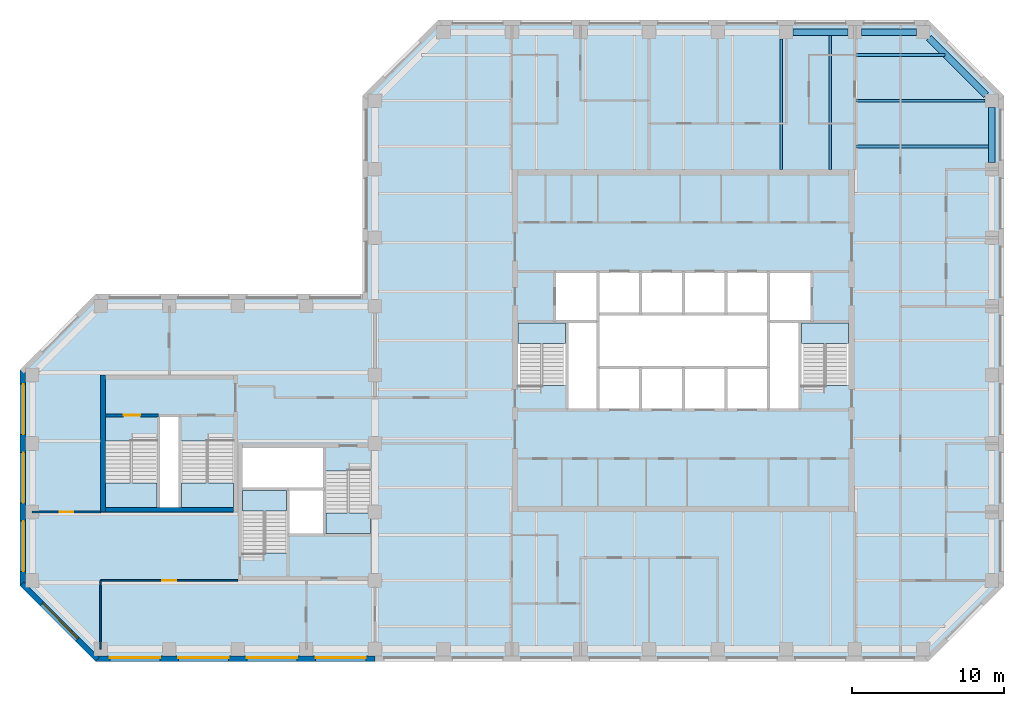
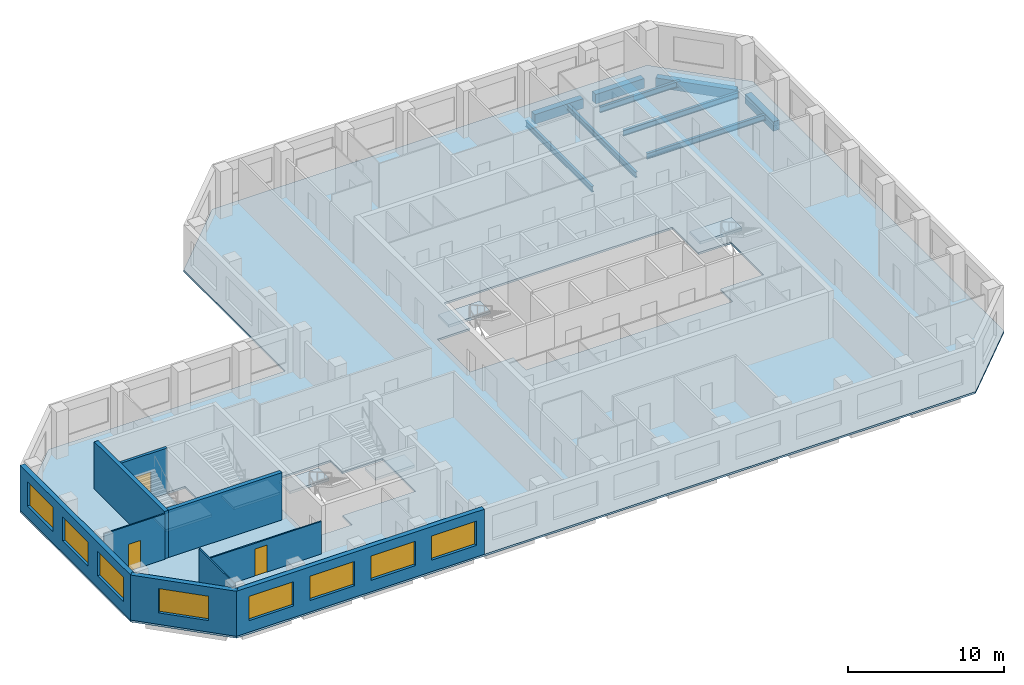
# One storey, part 2 of 9: 9 beams, 9 walls, 8 windows, 7 slabs, 3 doors, 11 openings, 6 elements without a shape of their own.
"""IFC4 building model written with IfcOpenShell, lengths in metres."""

from ifc_helpers import new_model, si_unit, direction, frame, frame_2d, origin, origin_2d, place, context, subcontext, project, spatial, polyline, rectangle, i_section, outline, extrude, material, layer, layer_set, constituent, constituent_set, material_profile, profile_set, type_object, element, fill, aggregate, save


model = new_model("IFC4")

# Units and contexts
model_context = context("Model", 3, precision=1e-05, world=origin(), true_north=direction((0.0, 1.0)))
body_context = subcontext(model_context, "Body", "Model", "MODEL_VIEW")
ifc_project = project(units=[si_unit("LENGTHUNIT", "METRE"), si_unit("AREAUNIT", "SQUARE_METRE"), si_unit("VOLUMEUNIT", "CUBIC_METRE"), si_unit("PLANEANGLEUNIT", "RADIAN"), si_unit("MASSUNIT", "GRAM", prefix="KILO")], contexts=[model_context])

# Site, building, storey
site_placement = place(None, origin())
site = spatial("IfcSite", under=ifc_project, at=site_placement, CompositionType="ELEMENT")
building_placement = place(site_placement, origin())
building = spatial("IfcBuilding", under=site, at=building_placement, Name="Quoin Convention Tower", CompositionType="ELEMENT")
storey_placement = place(building_placement, frame((0.0, 0.0, 252.60009765625)))
storey = spatial("IfcBuildingStorey", under=building, at=storey_placement, Name="L66", CompositionType="ELEMENT", Elevation=252.60009765625)

# Beams
ifc_material_1 = material(Name="Steel Grade 300", Category="steel")
ifc_material_profile_1 = material_profile(ifc_material_1, i_section(OverallWidth=0.18994140625, OverallDepth=0.4541015625, WebThickness=0.008544921875, FlangeThickness=0.0126953125, FilletRadius=0.011474609375, at=origin_2d()), Name="460UB67.1")
ifc_profile_set_1 = profile_set([ifc_material_profile_1], Name="Steel Grade 300")
beam_type_1 = type_object("IfcBeamType", Name="460UB67.1", PredefinedType="BEAM", material=ifc_profile_set_1)
beam_1_placement = place(storey_placement, frame((62.6787109375, 72.0, -0.377197265625), z_axis=(0.0, 1.0, 0.0), x_axis=(-1.0, 0.0, 0.0)))
element("IfcBeam", 1, at=beam_1_placement, inside=storey, type_object=beam_type_1, Name="bm-L66-T1N5", PredefinedType="BEAM", context=body_context, shape_type="SweptSolid", body=[
    extrude(i_section(OverallWidth=0.18994140625, OverallDepth=0.4541015625, WebThickness=0.008544921875, FlangeThickness=0.0126953125, FilletRadius=0.011474609375, at=origin_2d()), origin(), (0.0, 0.0, 1.0), 8.550048828125),
])
beam_2_placement = place(storey_placement, frame((65.892822265625, 72.0, -0.377197265625), z_axis=(0.0, 1.0, 0.0), x_axis=(-1.0, 0.0, 0.0)))
element("IfcBeam", 2, at=beam_2_placement, inside=storey, type_object=beam_type_1, Name="bm-L66-T1N6", PredefinedType="BEAM", context=body_context, shape_type="SweptSolid", body=[
    extrude(i_section(OverallWidth=0.18994140625, OverallDepth=0.4541015625, WebThickness=0.008544921875, FlangeThickness=0.0126953125, FilletRadius=0.011474609375, at=origin_2d()), origin(), (0.0, 0.0, 1.0), 8.77490234375),
])
beam_3_placement = place(storey_placement, frame((67.5, 79.5, -0.377197265625), z_axis=(1.0, 0.0, 0.0), x_axis=(0.0, 1.0, 0.0)))
element("IfcBeam", 3, at=beam_3_placement, inside=storey, type_object=beam_type_1, Name="bm-L66-T1NE0", PredefinedType="BEAM", context=body_context, shape_type="SweptSolid", body=[
    extrude(i_section(OverallWidth=0.18994140625, OverallDepth=0.4541015625, WebThickness=0.008544921875, FlangeThickness=0.0126953125, FilletRadius=0.011474609375, at=origin_2d()), origin(), (0.0, 0.0, 1.0), 5.935791015625),
])
beam_4_placement = place(storey_placement, frame((67.5, 76.5, -0.377197265625), z_axis=(1.0, 0.0, 0.0), x_axis=(0.0, 1.0, 0.0)))
element("IfcBeam", 4, at=beam_4_placement, inside=storey, type_object=beam_type_1, Name="bm-L66-T1NE1", PredefinedType="BEAM", context=body_context, shape_type="SweptSolid", body=[
    extrude(i_section(OverallWidth=0.18994140625, OverallDepth=0.4541015625, WebThickness=0.008544921875, FlangeThickness=0.0126953125, FilletRadius=0.011474609375, at=origin_2d()), origin(), (0.0, 0.0, 1.0), 8.550048828125),
])
beam_5_placement = place(storey_placement, frame((67.5, 73.5, -0.377197265625), z_axis=(1.0, 0.0, 0.0), x_axis=(0.0, 1.0, 0.0)))
element("IfcBeam", 5, at=beam_5_placement, inside=storey, type_object=beam_type_1, Name="bm-L66-T1NE2", PredefinedType="BEAM", context=body_context, shape_type="SweptSolid", body=[
    extrude(i_section(OverallWidth=0.18994140625, OverallDepth=0.4541015625, WebThickness=0.008544921875, FlangeThickness=0.0126953125, FilletRadius=0.011474609375, at=origin_2d()), origin(), (0.0, 0.0, 1.0), 8.77490234375),
])
ifc_material_2 = material(Name="Concrete C50", Category="concrete")
ifc_material_profile_2 = material_profile(ifc_material_2, rectangle(XDim=0.449951171875, YDim=0.75, at=origin_2d()), Name="RC 450x750")
ifc_profile_set_2 = profile_set([ifc_material_profile_2], Name="Concrete C50")
beam_type_2 = type_object("IfcBeamType", Name="RC 450x750 C50", PredefinedType="SPANDREL", material=ifc_profile_set_2)
beam_6_placement = place(storey_placement, frame((76.5, 72.449951171875, -0.525146484375), z_axis=(0.0, 1.0, 0.0), x_axis=(-1.0, 0.0, 0.0)))
element("IfcBeam", 6, at=beam_6_placement, inside=storey, type_object=beam_type_2, Name="spd-L66-76500_72000-76500_76500", PredefinedType="SPANDREL", context=body_context, shape_type="SweptSolid", body=[
    extrude(rectangle(XDim=0.449951171875, YDim=0.75, at=origin_2d()), origin(), (0.0, 0.0, 1.0), 3.60009765625),
])
beam_7_placement = place(storey_placement, frame((76.135009765625, 76.864990234375, -0.525146484375), z_axis=(-0.707106781187, 0.707106781187, 0.0), x_axis=(-0.707106781187, -0.707106781187, 0.0)))
element("IfcBeam", 7, at=beam_7_placement, inside=storey, type_object=beam_type_2, Name="spd-L66-76500_76500-72000_81000", PredefinedType="SPANDREL", context=body_context, shape_type="SweptSolid", body=[
    extrude(rectangle(XDim=0.449951171875, YDim=0.75, at=origin_2d()), origin(), (0.0, 0.0, 1.0), 5.33154296875),
])
for number, where, z_axis, x_axis, name in (
    (8, (71.550048828125, 81.0, -0.525146484375), (-1.0, 0.0, 0.0), (0.0, -1.0, 0.0), "spd-L66-72000_81000-67500_81000"),
    (9, (67.050048828125, 81.0, -0.525146484375), (-1.0, 0.0, 0.0), (0.0, -1.0, 0.0), "spd-L66-67500_81000-63000_81000"),
):
    element("IfcBeam", number, at=place(storey_placement, frame(where, z_axis=z_axis, x_axis=x_axis)), inside=storey, type_object=beam_type_2, Name=name, PredefinedType="SPANDREL", context=body_context, shape_type="SweptSolid", body=[
        extrude(rectangle(XDim=0.449951171875, YDim=0.75, at=origin_2d()), origin(), (0.0, 0.0, 1.0), 3.60009765625),
    ])

# Slab
ifc_material_3 = material(Name="Concrete C40", Category="concrete")
ifc_layer_1 = layer(ifc_material_3, 0.14990234375)
ifc_layer_set_1 = layer_set([ifc_layer_1], Name="Concrete C40")
slab_type_1 = type_object("IfcSlabType", Name="COMPOSITE SLAB 150 C40", PredefinedType="FLOOR", material=ifc_layer_set_1)
slab_1_placement = place(storey_placement, frame((0.0, 0.0, -0.150146484375)))
element("IfcSlab", 10, at=slab_1_placement, inside=storey, type_object=slab_type_1, Name="slb-L66", PredefinedType="FLOOR", context=body_context, shape_type="SweptSolid", body=[
    extrude(outline(polyline([(17.668701171875, 39.699951171875), (12.699951171875, 44.668701171875), (12.699951171875, 58.831298828125), (17.668701171875, 63.800048828125), (35.199951171875, 63.800048828125), (35.199951171875, 76.831298828125), (40.168701171875, 81.800048828125), (72.331298828125, 81.800048828125), (77.300048828125, 76.831298828125), (77.300048828125, 44.668701171875), (72.331298828125, 39.699951171875), (17.668701171875, 39.699951171875)]), holes=[polyline([(27.300048828125, 51.0), (27.300048828125, 46.800537109375), (30.300048828125, 46.800537109375), (30.300048828125, 48.0), (32.699951171875, 48.0), (35.699951171875, 48.0), (35.699951171875, 52.199462890625), (32.699951171875, 52.199462890625), (32.699951171875, 53.699951171875), (27.300048828125, 53.699951171875), (27.300048828125, 51.0)]), polyline([(18.300048828125, 49.800048828125), (21.800048828125, 49.800048828125), (23.199951171875, 49.800048828125), (26.699951171875, 49.800048828125), (26.699951171875, 54.1494140625), (23.199951171875, 54.1494140625), (23.199951171875, 55.85009765625), (21.800048828125, 55.85009765625), (21.800048828125, 54.1494140625), (18.300048828125, 54.1494140625), (18.300048828125, 49.800048828125)]), polyline([(48.60009765625, 56.199951171875), (50.64990234375, 56.199951171875), (53.449951171875, 56.199951171875), (56.25, 56.199951171875), (59.050048828125, 56.199951171875), (61.85009765625, 56.199951171875), (63.89990234375, 56.199951171875), (63.89990234375, 57.800537109375), (67.10009765625, 57.800537109375), (67.10009765625, 62.0), (64.699951171875, 62.0), (64.699951171875, 65.300048828125), (61.85009765625, 65.300048828125), (59.050048828125, 65.300048828125), (56.25, 65.300048828125), (53.449951171875, 65.300048828125), (50.64990234375, 65.300048828125), (47.800048828125, 65.300048828125), (47.800048828125, 62.0), (45.39990234375, 62.0), (45.39990234375, 57.800537109375), (48.60009765625, 57.800537109375), (48.60009765625, 56.199951171875)])]), origin(), (0.0, 0.0, 1.0), 0.150146484375),
])

# Stair, slab
stair_type_1 = type_object("IfcStairType", Name="Exit stair two-flight 1350", PredefinedType="HALF_TURN_STAIR", material=ifc_material_3)
stair_1_placement = place(storey_placement, origin())
stair_1 = element("IfcStair", 11, at=stair_1_placement, inside=storey, type_object=stair_type_1, Name="SD1 L66", PredefinedType="HALF_TURN_STAIR")
ifc_layer_2 = layer(ifc_material_3, 0.199951171875)
ifc_layer_set_2 = layer_set([ifc_layer_2], Name="Concrete C40")
slab_type_2 = type_object("IfcSlabType", Name="Stair landing 200", PredefinedType="LANDING", material=ifc_layer_set_2)
slab_2_placement = place(storey_placement, frame((0.0, 0.0, 1.792236328125)))
slab_2 = element("IfcSlab", 12, at=slab_2_placement, type_object=slab_type_2, Name="ST1 landing 1", PredefinedType="LANDING", context=body_context, shape_type="SweptSolid", body=[
    extrude(outline(polyline([(45.39990234375, 60.550048828125), (48.5, 60.550048828125), (48.5, 61.89990234375), (45.39990234375, 61.89990234375), (45.39990234375, 60.550048828125)])), origin(), (0.0, 0.0, 1.0), 0.199951171875),
])
aggregate(stair_1, [slab_2])

stair_2_placement = place(storey_placement, origin())
stair_2 = element("IfcStair", 13, at=stair_2_placement, inside=storey, type_object=stair_type_1, Name="SD2 L66", PredefinedType="HALF_TURN_STAIR")
slab_3_placement = place(storey_placement, frame((0.0, 0.0, 1.792236328125)))
slab_3 = element("IfcSlab", 14, at=slab_3_placement, type_object=slab_type_2, Name="ST2 landing 1", PredefinedType="LANDING", context=body_context, shape_type="SweptSolid", body=[
    extrude(outline(polyline([(64.0, 60.550048828125), (67.10009765625, 60.550048828125), (67.10009765625, 61.89990234375), (64.0, 61.89990234375), (64.0, 60.550048828125)])), origin(), (0.0, 0.0, 1.0), 0.199951171875),
])
aggregate(stair_2, [slab_3])

stair_3_placement = place(storey_placement, origin())
stair_3 = element("IfcStair", 15, at=stair_3_placement, inside=storey, type_object=stair_type_1, Name="SD3 L66", PredefinedType="HALF_TURN_STAIR")
slab_4_placement = place(storey_placement, frame((0.0, 0.0, 1.792236328125)))
slab_4 = element("IfcSlab", 16, at=slab_4_placement, type_object=slab_type_2, Name="ST3 landing 1", PredefinedType="LANDING", context=body_context, shape_type="SweptSolid", body=[
    extrude(outline(polyline([(27.300048828125, 49.550048828125), (30.199951171875, 49.550048828125), (30.199951171875, 50.89990234375), (27.300048828125, 50.89990234375), (27.300048828125, 49.550048828125)])), origin(), (0.0, 0.0, 1.0), 0.199951171875),
])
aggregate(stair_3, [slab_4])

stair_4_placement = place(storey_placement, origin())
stair_4 = element("IfcStair", 17, at=stair_4_placement, inside=storey, type_object=stair_type_1, Name="SD4 L66", PredefinedType="HALF_TURN_STAIR")
slab_5_placement = place(storey_placement, frame((0.0, 0.0, 1.792236328125)))
slab_5 = element("IfcSlab", 18, at=slab_5_placement, type_object=slab_type_2, Name="ST4 landing 1", PredefinedType="LANDING", context=body_context, shape_type="SweptSolid", body=[
    extrude(outline(polyline([(35.699951171875, 49.449951171875), (32.800048828125, 49.449951171875), (32.800048828125, 48.10009765625), (35.699951171875, 48.10009765625), (35.699951171875, 49.449951171875)])), origin(), (0.0, 0.0, 1.0), 0.199951171875),
])
aggregate(stair_4, [slab_5])

stair_type_2 = type_object("IfcStairType", Name="Exit stair two-flight 1600", PredefinedType="HALF_TURN_STAIR", material=ifc_material_3)
stair_5_placement = place(storey_placement, origin())
stair_5 = element("IfcStair", 19, at=stair_5_placement, inside=storey, type_object=stair_type_2, Name="SD11 L66", PredefinedType="HALF_TURN_STAIR")
slab_6_placement = place(storey_placement, frame((0.0, 0.0, 1.792236328125)))
slab_6 = element("IfcSlab", 20, at=slab_6_placement, type_object=slab_type_2, Name="ST11 landing 1", PredefinedType="LANDING", context=body_context, shape_type="SweptSolid", body=[
    extrude(outline(polyline([(21.699951171875, 51.39990234375), (18.300048828125, 51.39990234375), (18.300048828125, 49.800048828125), (21.699951171875, 49.800048828125), (21.699951171875, 51.39990234375)])), origin(), (0.0, 0.0, 1.0), 0.199951171875),
])
aggregate(stair_5, [slab_6])

stair_6_placement = place(storey_placement, origin())
stair_6 = element("IfcStair", 21, at=stair_6_placement, inside=storey, type_object=stair_type_2, Name="SD12 L66", PredefinedType="HALF_TURN_STAIR")
slab_7_placement = place(storey_placement, frame((0.0, 0.0, 1.792236328125)))
slab_7 = element("IfcSlab", 22, at=slab_7_placement, type_object=slab_type_2, Name="ST12 landing 1", PredefinedType="LANDING", context=body_context, shape_type="SweptSolid", body=[
    extrude(outline(polyline([(26.699951171875, 51.39990234375), (23.300048828125, 51.39990234375), (23.300048828125, 49.800048828125), (26.699951171875, 49.800048828125), (26.699951171875, 51.39990234375)])), origin(), (0.0, 0.0, 1.0), 0.199951171875),
])
aggregate(stair_6, [slab_7])

# Wall, openings, windows
ifc_material_4 = material(Name="Brick masonry", Category="masonry")
ifc_layer_3 = layer(ifc_material_4, 0.35009765625)
ifc_layer_set_3 = layer_set([ifc_layer_3], Name="Brick masonry")
wall_type_1 = type_object("IfcWallType", Name="Brick facade wall", PredefinedType="STANDARD", material=ifc_layer_set_3)
wall_1_placement = place(storey_placement, frame((12.875, 58.831298828125, 0.0), z_axis=(0.0, 0.0, 1.0), x_axis=(0.0, -1.0, 0.0)))
wall_1 = element("IfcWall", 23, at=wall_1_placement, inside=storey, type_object=wall_type_1, Name="fw-L66-13500_58500", PredefinedType="STANDARD", context=body_context, shape_type="SweptSolid", body=[
    extrude(rectangle(XDim=14.16259765625, YDim=0.35009765625, at=frame_2d((7.081298828125, 0.0))), origin(), (0.0, 0.0, 1.0), 3.52490234375),
])
opening_1_placement = place(wall_1_placement, frame((0.931396484375, 0.0, 0.89990234375)))
opening_1 = element("IfcOpeningElement", 24, at=opening_1_placement, cuts=wall_1, Name="Opening W-02", PredefinedType="OPENING", context=body_context, shape_type="SweptSolid", body=[
    extrude(rectangle(XDim=3.300048828125, YDim=1.89990234375, at=frame_2d((1.64990234375, 0.949951171875))), frame((0.0, 0.18505859375, 0.0), z_axis=(0.0, -1.0, 0.0), x_axis=(1.0, 0.0, 0.0)), (0.0, 0.0, 1.0), 0.3701171875),
])
opening_2_placement = place(wall_1_placement, frame((5.431396484375, 0.0, 0.89990234375)))
opening_2 = element("IfcOpeningElement", 25, at=opening_2_placement, cuts=wall_1, Name="Opening W-02", PredefinedType="OPENING", context=body_context, shape_type="SweptSolid", body=[
    extrude(rectangle(XDim=3.300048828125, YDim=1.89990234375, at=frame_2d((1.64990234375, 0.949951171875))), frame((0.0, 0.18505859375, 0.0), z_axis=(0.0, -1.0, 0.0), x_axis=(1.0, 0.0, 0.0)), (0.0, 0.0, 1.0), 0.3701171875),
])
opening_3_placement = place(wall_1_placement, frame((9.931396484375, 0.0, 0.89990234375)))
opening_3 = element("IfcOpeningElement", 26, at=opening_3_placement, cuts=wall_1, Name="Opening W-02", PredefinedType="OPENING", context=body_context, shape_type="SweptSolid", body=[
    extrude(rectangle(XDim=3.300048828125, YDim=1.89990234375, at=frame_2d((1.64990234375, 0.949951171875))), frame((0.0, 0.18505859375, 0.0), z_axis=(0.0, -1.0, 0.0), x_axis=(1.0, 0.0, 0.0)), (0.0, 0.0, 1.0), 0.3701171875),
])
ifc_material_5 = material(Name="Aluminium", Category="aluminium")
ifc_constituent_1 = constituent(ifc_material_5, Name="Frame")
ifc_material_6 = material(Name="Insulated glass", Category="glass")
ifc_constituent_2 = constituent(ifc_material_6, Name="Glazing")
ifc_constituent_set = constituent_set(constituents=[ifc_constituent_1, ifc_constituent_2], Name="Aluminium")
window_type = type_object("IfcWindowType", Name="Office window", PartitioningType="DOUBLE_PANEL_VERTICAL", PredefinedType="WINDOW", material=ifc_constituent_set)
window_1_placement = place(opening_1_placement, origin())
window_1 = element("IfcWindow", 27, at=window_1_placement, inside=storey, type_object=window_type, Name="win-L66-12875_56250", OverallHeight=1.89990234375, OverallWidth=3.300048828125, PartitioningType="SINGLE_PANEL", PredefinedType="WINDOW", context=body_context, shape_type="SweptSolid", body=[
    extrude(rectangle(XDim=3.300048828125, YDim=1.89990234375, at=frame_2d((1.64990234375, 0.949951171875))), frame((0.0, 0.0849609375, 0.0), z_axis=(0.0, -1.0, 0.0), x_axis=(1.0, 0.0, 0.0)), (0.0, 0.0, 1.0), 0.06005859375),
])
fill(opening_1, window_1)
window_2_placement = place(opening_2_placement, origin())
window_2 = element("IfcWindow", 28, at=window_2_placement, inside=storey, type_object=window_type, Name="win-L66-12875_51750", OverallHeight=1.89990234375, OverallWidth=3.300048828125, PartitioningType="SINGLE_PANEL", PredefinedType="WINDOW", context=body_context, shape_type="SweptSolid", body=[
    extrude(rectangle(XDim=3.300048828125, YDim=1.89990234375, at=frame_2d((1.64990234375, 0.949951171875))), frame((0.0, 0.0849609375, 0.0), z_axis=(0.0, -1.0, 0.0), x_axis=(1.0, 0.0, 0.0)), (0.0, 0.0, 1.0), 0.06005859375),
])
fill(opening_2, window_2)
window_3_placement = place(opening_3_placement, origin())
window_3 = element("IfcWindow", 29, at=window_3_placement, inside=storey, type_object=window_type, Name="win-L66-12875_47250", OverallHeight=1.89990234375, OverallWidth=3.300048828125, PartitioningType="SINGLE_PANEL", PredefinedType="WINDOW", context=body_context, shape_type="SweptSolid", body=[
    extrude(rectangle(XDim=3.300048828125, YDim=1.89990234375, at=frame_2d((1.64990234375, 0.949951171875))), frame((0.0, 0.0849609375, 0.0), z_axis=(0.0, -1.0, 0.0), x_axis=(1.0, 0.0, 0.0)), (0.0, 0.0, 1.0), 0.06005859375),
])
fill(opening_3, window_3)

# Wall, opening, window
wall_2_placement = place(storey_placement, frame((12.82373046875, 44.79248046875, 0.0), z_axis=(0.0, 0.0, 1.0), x_axis=(0.707106781187, -0.707106781187, 0.0)))
wall_2 = element("IfcWall", 30, at=wall_2_placement, inside=storey, type_object=wall_type_1, Name="fw-L66-13500_45000", PredefinedType="STANDARD", context=body_context, shape_type="SweptSolid", body=[
    extrude(rectangle(XDim=7.02685546875, YDim=0.35009765625, at=frame_2d((3.513427734375, 0.0))), origin(), (0.0, 0.0, 1.0), 3.52490234375),
])
opening_4_placement = place(wall_2_placement, frame((1.86328125, 0.0, 0.89990234375)))
opening_4 = element("IfcOpeningElement", 31, at=opening_4_placement, cuts=wall_2, Name="Opening W-02", PredefinedType="OPENING", context=body_context, shape_type="SweptSolid", body=[
    extrude(rectangle(XDim=3.300048828125, YDim=1.89990234375, at=frame_2d((1.64990234375, 0.949951171875))), frame((0.0, 0.18505859375, 0.0), z_axis=(0.0, -1.0, 0.0), x_axis=(1.0, 0.0, 0.0)), (0.0, 0.0, 1.0), 0.3701171875),
])
window_4_placement = place(opening_4_placement, origin())
window_4 = element("IfcWindow", 32, at=window_4_placement, inside=storey, type_object=window_type, Name="win-L66-15308_42308", OverallHeight=1.89990234375, OverallWidth=3.300048828125, PartitioningType="SINGLE_PANEL", PredefinedType="WINDOW", context=body_context, shape_type="SweptSolid", body=[
    extrude(rectangle(XDim=3.300048828125, YDim=1.89990234375, at=frame_2d((1.64990234375, 0.949951171875))), frame((0.0, 0.0849609375, 0.0), z_axis=(0.0, -1.0, 0.0), x_axis=(1.0, 0.0, 0.0)), (0.0, 0.0, 1.0), 0.06005859375),
])
fill(opening_4, window_4)

# Wall, openings, windows
wall_3_placement = place(storey_placement, frame((17.668701171875, 39.875, 0.0), z_axis=(0.0, 0.0, 1.0), x_axis=(1.0, 0.0, 0.0)))
wall_3 = element("IfcWall", 33, at=wall_3_placement, inside=storey, type_object=wall_type_1, Name="fw-L66-18000_40500", PredefinedType="STANDARD", context=body_context, shape_type="SweptSolid", body=[
    extrude(rectangle(XDim=18.331298828125, YDim=0.35009765625, at=frame_2d((9.16552734375, 0.0))), origin(), (0.0, 0.0, 1.0), 3.52490234375),
])
opening_5_placement = place(wall_3_placement, frame((0.931396484375, 0.0, 0.89990234375)))
opening_5 = element("IfcOpeningElement", 34, at=opening_5_placement, cuts=wall_3, Name="Opening W-02", PredefinedType="OPENING", context=body_context, shape_type="SweptSolid", body=[
    extrude(rectangle(XDim=3.300048828125, YDim=1.89990234375, at=frame_2d((1.64990234375, 0.949951171875))), frame((0.0, 0.18505859375, 0.0), z_axis=(0.0, -1.0, 0.0), x_axis=(1.0, 0.0, 0.0)), (0.0, 0.0, 1.0), 0.3701171875),
])
opening_6_placement = place(wall_3_placement, frame((5.431396484375, 0.0, 0.89990234375)))
opening_6 = element("IfcOpeningElement", 35, at=opening_6_placement, cuts=wall_3, Name="Opening W-02", PredefinedType="OPENING", context=body_context, shape_type="SweptSolid", body=[
    extrude(rectangle(XDim=3.300048828125, YDim=1.89990234375, at=frame_2d((1.64990234375, 0.949951171875))), frame((0.0, 0.18505859375, 0.0), z_axis=(0.0, -1.0, 0.0), x_axis=(1.0, 0.0, 0.0)), (0.0, 0.0, 1.0), 0.3701171875),
])
opening_7_placement = place(wall_3_placement, frame((9.931396484375, 0.0, 0.89990234375)))
opening_7 = element("IfcOpeningElement", 36, at=opening_7_placement, cuts=wall_3, Name="Opening W-02", PredefinedType="OPENING", context=body_context, shape_type="SweptSolid", body=[
    extrude(rectangle(XDim=3.300048828125, YDim=1.89990234375, at=frame_2d((1.64990234375, 0.949951171875))), frame((0.0, 0.18505859375, 0.0), z_axis=(0.0, -1.0, 0.0), x_axis=(1.0, 0.0, 0.0)), (0.0, 0.0, 1.0), 0.3701171875),
])
opening_8_placement = place(wall_3_placement, frame((14.431396484375, 0.0, 0.89990234375)))
opening_8 = element("IfcOpeningElement", 37, at=opening_8_placement, cuts=wall_3, Name="Opening W-02", PredefinedType="OPENING", context=body_context, shape_type="SweptSolid", body=[
    extrude(rectangle(XDim=3.300048828125, YDim=1.89990234375, at=frame_2d((1.64990234375, 0.949951171875))), frame((0.0, 0.18505859375, 0.0), z_axis=(0.0, -1.0, 0.0), x_axis=(1.0, 0.0, 0.0)), (0.0, 0.0, 1.0), 0.3701171875),
])
window_5_placement = place(opening_5_placement, origin())
window_5 = element("IfcWindow", 38, at=window_5_placement, inside=storey, type_object=window_type, Name="win-L66-20250_39875", OverallHeight=1.89990234375, OverallWidth=3.300048828125, PartitioningType="SINGLE_PANEL", PredefinedType="WINDOW", context=body_context, shape_type="SweptSolid", body=[
    extrude(rectangle(XDim=3.300048828125, YDim=1.89990234375, at=frame_2d((1.64990234375, 0.949951171875))), frame((0.0, 0.0849609375, 0.0), z_axis=(0.0, -1.0, 0.0), x_axis=(1.0, 0.0, 0.0)), (0.0, 0.0, 1.0), 0.06005859375),
])
fill(opening_5, window_5)
window_6_placement = place(opening_6_placement, origin())
window_6 = element("IfcWindow", 39, at=window_6_placement, inside=storey, type_object=window_type, Name="win-L66-24750_39875", OverallHeight=1.89990234375, OverallWidth=3.300048828125, PartitioningType="SINGLE_PANEL", PredefinedType="WINDOW", context=body_context, shape_type="SweptSolid", body=[
    extrude(rectangle(XDim=3.300048828125, YDim=1.89990234375, at=frame_2d((1.64990234375, 0.949951171875))), frame((0.0, 0.0849609375, 0.0), z_axis=(0.0, -1.0, 0.0), x_axis=(1.0, 0.0, 0.0)), (0.0, 0.0, 1.0), 0.06005859375),
])
fill(opening_6, window_6)
window_7_placement = place(opening_7_placement, origin())
window_7 = element("IfcWindow", 40, at=window_7_placement, inside=storey, type_object=window_type, Name="win-L66-29250_39875", OverallHeight=1.89990234375, OverallWidth=3.300048828125, PartitioningType="SINGLE_PANEL", PredefinedType="WINDOW", context=body_context, shape_type="SweptSolid", body=[
    extrude(rectangle(XDim=3.300048828125, YDim=1.89990234375, at=frame_2d((1.64990234375, 0.949951171875))), frame((0.0, 0.0849609375, 0.0), z_axis=(0.0, -1.0, 0.0), x_axis=(1.0, 0.0, 0.0)), (0.0, 0.0, 1.0), 0.06005859375),
])
fill(opening_7, window_7)
window_8_placement = place(opening_8_placement, origin())
window_8 = element("IfcWindow", 41, at=window_8_placement, inside=storey, type_object=window_type, Name="win-L66-33750_39875", OverallHeight=1.89990234375, OverallWidth=3.300048828125, PartitioningType="SINGLE_PANEL", PredefinedType="WINDOW", context=body_context, shape_type="SweptSolid", body=[
    extrude(rectangle(XDim=3.300048828125, YDim=1.89990234375, at=frame_2d((1.64990234375, 0.949951171875))), frame((0.0, 0.0849609375, 0.0), z_axis=(0.0, -1.0, 0.0), x_axis=(1.0, 0.0, 0.0)), (0.0, 0.0, 1.0), 0.06005859375),
])
fill(opening_8, window_8)

# Wall, opening, door
ifc_layer_4 = layer(ifc_material_2, 0.199951171875)
ifc_layer_set_4 = layer_set([ifc_layer_4], Name="Concrete C50")
wall_type_2 = type_object("IfcWallType", Name="Core shaft wall", PredefinedType="SOLIDWALL", material=ifc_layer_set_4)
wall_4_placement = place(storey_placement, frame((18.300048828125, 55.85009765625, 0.0), z_axis=(0.0, 0.0, 1.0), x_axis=(1.0, 0.0, 0.0)))
wall_4 = element("IfcWall", 42, at=wall_4_placement, inside=storey, type_object=wall_type_2, Name="cr-P6-L66-h6350_300", PredefinedType="SOLIDWALL", context=body_context, shape_type="SweptSolid", body=[
    extrude(rectangle(XDim=3.5, YDim=0.199951171875, at=frame_2d((1.75, 0.0))), origin(), (0.0, 0.0, 1.0), 3.5498046875),
])
opening_9_placement = place(wall_4_placement, frame((1.199951171875, 0.0, 0.0)))
opening_9 = element("IfcOpeningElement", 43, at=opening_9_placement, cuts=wall_4, Name="Opening SD11", PredefinedType="OPENING", context=body_context, shape_type="SweptSolid", body=[
    extrude(rectangle(XDim=1.10009765625, YDim=2.10009765625, at=frame_2d((0.550048828125, 1.050048828125))), frame((0.0, 0.10986328125, 0.0), z_axis=(0.0, -1.0, 0.0), x_axis=(1.0, 0.0, 0.0)), (0.0, 0.0, 1.0), 0.219970703125),
])
ifc_material_7 = material(Name="Steel door leaf", Category="steel")
door_type_1 = type_object("IfcDoorType", Name="Stair door 1100 x 2100", OperationType="SINGLE_SWING_RIGHT", PredefinedType="DOOR", material=ifc_material_7)
door_1_placement = place(opening_9_placement, origin())
door_1 = element("IfcDoor", 44, at=door_1_placement, inside=storey, type_object=door_type_1, Name="cd-P6-L66-SA-R2-SD11", OperationType="SINGLE_SWING_RIGHT", OverallHeight=2.10009765625, OverallWidth=1.10009765625, PredefinedType="DOOR", context=body_context, shape_type="SweptSolid", body=[
    extrude(rectangle(XDim=1.10009765625, YDim=2.10009765625, at=frame_2d((0.550048828125, 1.050048828125))), frame((0.0, 0.02490234375, 0.0), z_axis=(0.0, -1.0, 0.0), x_axis=(1.0, 0.0, 0.0)), (0.0, 0.0, 1.0), 0.050048828125),
])
fill(opening_9, door_1)

# Walls
ifc_layer_5 = layer(ifc_material_2, 0.300048828125)
ifc_layer_set_5 = layer_set([ifc_layer_5], Name="Concrete C50")
wall_type_3 = type_object("IfcWallType", Name="RC CORE WALL 300 C50", PredefinedType="SHEAR", material=ifc_layer_set_5)
wall_5_placement = place(storey_placement, frame((18.300048828125, 49.64990234375, 0.0), z_axis=(0.0, 0.0, 1.0), x_axis=(1.0, 0.0, 0.0)))
element("IfcWall", 45, at=wall_5_placement, inside=storey, type_object=wall_type_3, Name="cwl-P6-L66-S", PredefinedType="SHEAR", context=body_context, shape_type="SweptSolid", body=[
    extrude(rectangle(XDim=8.39990234375, YDim=0.300048828125, at=frame_2d((4.199951171875, 0.0))), origin(), (0.0, 0.0, 1.0), 3.699951171875),
])
wall_6_placement = place(storey_placement, frame((18.14990234375, 49.5, 0.0), z_axis=(0.0, 0.0, 1.0), x_axis=(0.0, 1.0, 0.0)))
element("IfcWall", 46, at=wall_6_placement, inside=storey, type_object=wall_type_3, Name="cwl-P6-L66-W", PredefinedType="SHEAR", context=body_context, shape_type="SweptSolid", body=[
    extrude(rectangle(XDim=9.0, YDim=0.300048828125, at=frame_2d((4.5, 0.0))), origin(), (0.0, 0.0, 1.0), 3.699951171875),
])

# Wall, opening, door
ifc_material_8 = material(Name="Plasterboard")
ifc_layer_6 = layer(ifc_material_8, 0.012451171875, Name="Finish")
ifc_material_9 = material(Name="Steel stud framing", Category="steel")
ifc_layer_7 = layer(ifc_material_9, 0.074951171875, Name="Structure")
ifc_layer_8 = layer(ifc_material_8, 0.012451171875, Name="Finish")
ifc_layer_set_6 = layer_set([ifc_layer_6, ifc_layer_7, ifc_layer_8], Name="Steel stud framing")
wall_type_4 = type_object("IfcWallType", Name="Stud partition 100", PredefinedType="PARTITIONING", material=ifc_layer_set_6)
wall_7_placement = place(storey_placement, frame((13.5, 49.5, 0.0), z_axis=(0.0, 0.0, 1.0), x_axis=(1.0, 0.0, 0.0)))
wall_7 = element("IfcWall", 47, at=wall_7_placement, inside=storey, type_object=wall_type_4, Name="pw-L66-w02", PredefinedType="PARTITIONING", context=body_context, shape_type="SweptSolid", body=[
    extrude(rectangle(XDim=4.5, YDim=0.10009765625, at=frame_2d((2.25, 0.0))), origin(), (0.0, 0.0, 1.0), 3.5498046875),
])
opening_10_placement = place(wall_7_placement, frame((1.800048828125, 0.0, 0.0)))
opening_10 = element("IfcOpeningElement", 48, at=opening_10_placement, cuts=wall_7, Name="Opening DOH12-24", PredefinedType="OPENING", context=body_context, shape_type="SweptSolid", body=[
    extrude(rectangle(XDim=0.89990234375, YDim=2.10009765625, at=frame_2d((0.449951171875, 1.050048828125))), frame((0.0, 0.06005859375, 0.0), z_axis=(0.0, -1.0, 0.0), x_axis=(1.0, 0.0, 0.0)), (0.0, 0.0, 1.0), 0.1201171875),
])
door_type_2 = type_object("IfcDoorType", Name="Office door 900 x 2100", OperationType="SINGLE_SWING_RIGHT", PredefinedType="DOOR", material=ifc_material_7)
door_2_placement = place(opening_10_placement, origin())
door_2 = element("IfcDoor", 49, at=door_2_placement, inside=storey, type_object=door_type_2, Name="dr-L66-w03", OperationType="SINGLE_SWING_RIGHT", OverallHeight=2.10009765625, OverallWidth=0.89990234375, PredefinedType="DOOR", context=body_context, shape_type="SweptSolid", body=[
    extrude(rectangle(XDim=0.89990234375, YDim=2.10009765625, at=frame_2d((0.449951171875, 1.050048828125))), frame((0.0, 0.02490234375, 0.0), z_axis=(0.0, -1.0, 0.0), x_axis=(1.0, 0.0, 0.0)), (0.0, 0.0, 1.0), 0.050048828125),
])
fill(opening_10, door_2)

# Wall
wall_8_placement = place(storey_placement, frame((18.0, 40.5, 0.0), z_axis=(0.0, 0.0, 1.0), x_axis=(0.0, 1.0, 0.0)))
element("IfcWall", 50, at=wall_8_placement, inside=storey, type_object=wall_type_4, Name="pw-L66-w03", PredefinedType="PARTITIONING", context=body_context, shape_type="SweptSolid", body=[
    extrude(rectangle(XDim=4.5, YDim=0.10009765625, at=frame_2d((2.25, 0.0))), origin(), (0.0, 0.0, 1.0), 3.5498046875),
])

# Wall, opening, door
ifc_layer_9 = layer(ifc_material_8, 0.012451171875, Name="Finish")
ifc_layer_10 = layer(ifc_material_9, 0.074951171875, Name="Structure")
ifc_layer_11 = layer(ifc_material_8, 0.012451171875, Name="Finish")
ifc_layer_set_7 = layer_set([ifc_layer_9, ifc_layer_10, ifc_layer_11], Name="Steel stud framing")
wall_type_5 = type_object("IfcWallType", Name="Stud partition 100 under beam 1000", PredefinedType="PARTITIONING", material=ifc_layer_set_7)
wall_9_placement = place(storey_placement, frame((18.0, 45.0, 0.0), z_axis=(0.0, 0.0, 1.0), x_axis=(1.0, 0.0, 0.0)))
wall_9 = element("IfcWall", 51, at=wall_9_placement, inside=storey, type_object=wall_type_5, Name="pw-L66-w04", PredefinedType="PARTITIONING", context=body_context, shape_type="SweptSolid", body=[
    extrude(rectangle(XDim=9.0, YDim=0.10009765625, at=frame_2d((4.5, 0.0))), origin(), (0.0, 0.0, 1.0), 2.5498046875),
])
opening_11_placement = place(wall_9_placement, frame((4.050048828125, 0.0, 0.0)))
opening_11 = element("IfcOpeningElement", 52, at=opening_11_placement, cuts=wall_9, Name="Opening DOH12-25", PredefinedType="OPENING", context=body_context, shape_type="SweptSolid", body=[
    extrude(rectangle(XDim=0.89990234375, YDim=2.10009765625, at=frame_2d((0.449951171875, 1.050048828125))), frame((0.0, 0.06005859375, 0.0), z_axis=(0.0, -1.0, 0.0), x_axis=(1.0, 0.0, 0.0)), (0.0, 0.0, 1.0), 0.1201171875),
])
door_3_placement = place(opening_11_placement, origin())
door_3 = element("IfcDoor", 53, at=door_3_placement, inside=storey, type_object=door_type_2, Name="dr-L66-w04", OperationType="SINGLE_SWING_RIGHT", OverallHeight=2.10009765625, OverallWidth=0.89990234375, PredefinedType="DOOR", context=body_context, shape_type="SweptSolid", body=[
    extrude(rectangle(XDim=0.89990234375, YDim=2.10009765625, at=frame_2d((0.449951171875, 1.050048828125))), frame((0.0, 0.02490234375, 0.0), z_axis=(0.0, -1.0, 0.0), x_axis=(1.0, 0.0, 0.0)), (0.0, 0.0, 1.0), 0.050048828125),
])
fill(opening_11, door_3)

save(model, "model.ifc")
